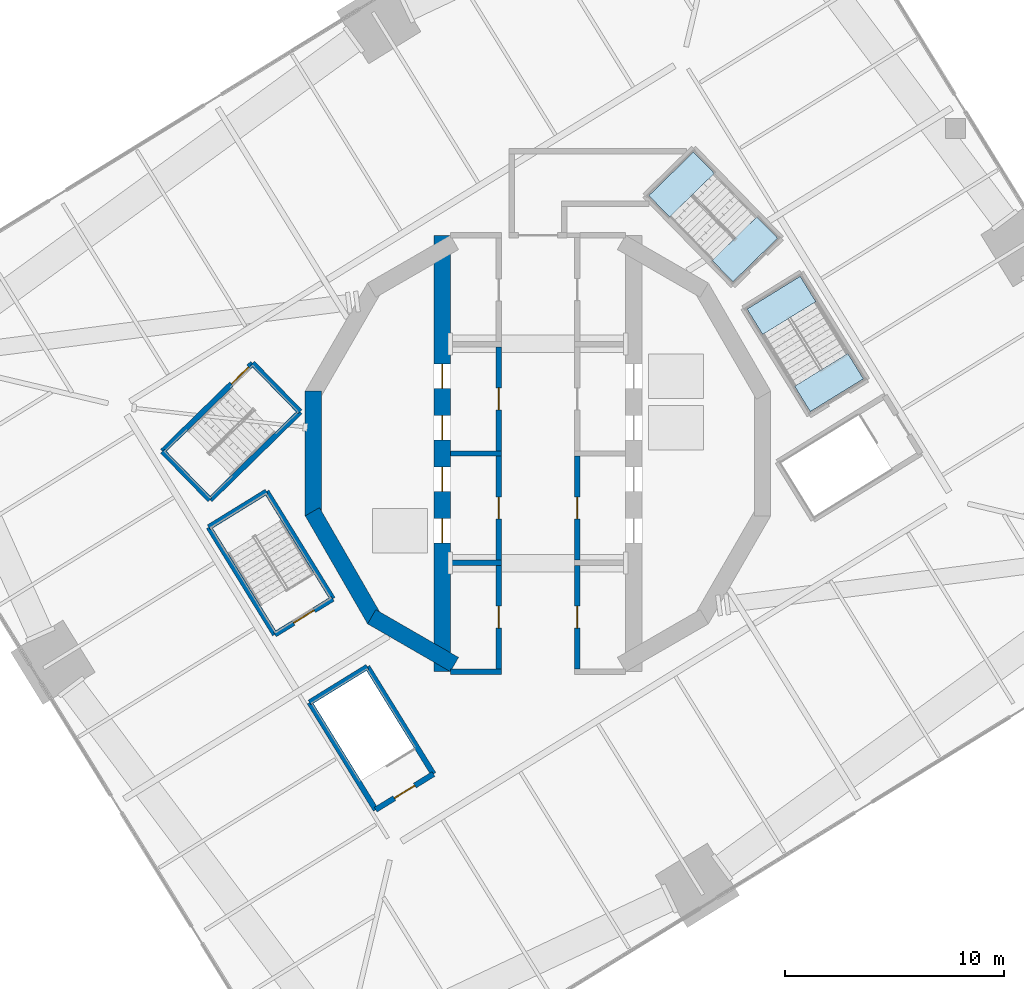
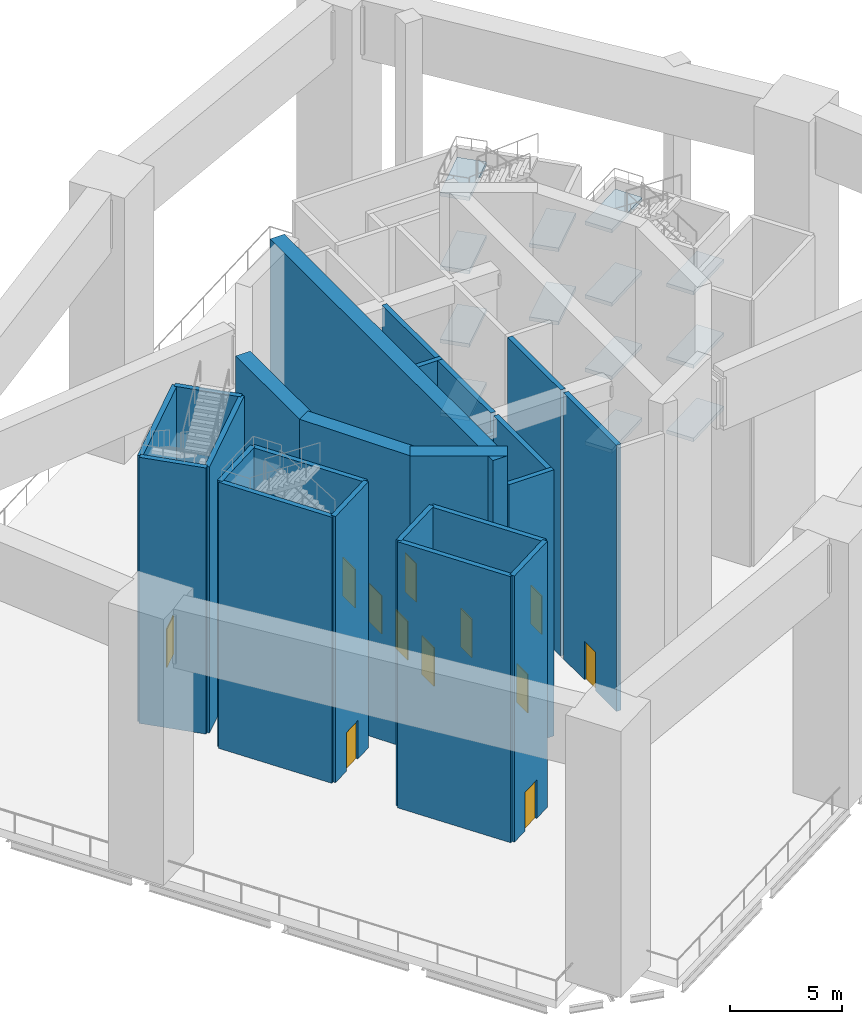
# One storey, part 3 of 15: 24 walls, 13 slabs, 12 doors, 12 openings, 2 elements without a shape of their own.
"""IFC4 building model written with IfcOpenShell, lengths in metres."""

from ifc_helpers import new_model, si_unit, direction, frame, frame_2d, origin, place, context, subcontext, project, spatial, polyline, rectangle, outline, extrude, material, layer, layer_set, type_object, element, fill, aggregate, save


model = new_model("IFC4")

# Units and contexts
model_context = context("Model", 3, precision=1e-05, world=origin(), true_north=direction((0.0, 1.0)))
body_context = subcontext(model_context, "Body", "Model", "MODEL_VIEW")
ifc_project = project(units=[si_unit("LENGTHUNIT", "METRE"), si_unit("AREAUNIT", "SQUARE_METRE"), si_unit("VOLUMEUNIT", "CUBIC_METRE"), si_unit("PLANEANGLEUNIT", "RADIAN"), si_unit("MASSUNIT", "GRAM", prefix="KILO")], contexts=[model_context])

# Site, building, storey
site_placement = place(None, origin())
site = spatial("IfcSite", under=ifc_project, at=site_placement, CompositionType="ELEMENT")
building_placement = place(site_placement, origin())
building = spatial("IfcBuilding", under=site, at=building_placement, Name="Cantera Rosa Tower", CompositionType="ELEMENT")
storey_placement = place(building_placement, frame((0.0, 0.0, 189.39990234375)))
storey = spatial("IfcBuildingStorey", under=building, at=storey_placement, Name="L42", CompositionType="ELEMENT", Elevation=189.39990234375)

# Stair, slabs
ifc_material_1 = material(Name="Concrete C35/45", Category="concrete")
stair_type = type_object("IfcStairType", Name="EXIT STAIR 1350 DOGLEG", PredefinedType="HALF_TURN_STAIR", material=ifc_material_1)
stair_1_placement = place(storey_placement, origin())
stair_1 = element("IfcStair", 1, at=stair_1_placement, inside=storey, type_object=stair_type, Name="L42 ST-41", PredefinedType="HALF_TURN_STAIR")
ifc_material_2 = material(Name="Concrete C35/45", Category="concrete")
ifc_layer_1 = layer(ifc_material_2, 0.199951171875)
ifc_layer_set_1 = layer_set([ifc_layer_1], Name="STAIR LANDING 200")
slab_type = type_object("IfcSlabType", Name="STAIR LANDING 200", PredefinedType="LANDING", material=ifc_layer_set_1)
slab_1_placement = place(storey_placement, frame((0.0, 0.0, 1.800048828125)))
slab_1 = element("IfcSlab", 2, at=slab_1_placement, type_object=slab_type, Name="ST-41 landing 1", PredefinedType="LANDING", context=body_context, shape_type="SweptSolid", body=[
    extrude(outline(polyline([(12.68408203125, 6.929443359375), (11.96923828125, 8.088623046875), (9.54345703125, 6.592529296875), (10.258544921875, 5.433349609375), (12.68408203125, 6.929443359375)])), origin(), (0.0, 0.0, 1.0), 0.199951171875),
])
slab_2_placement = place(storey_placement, frame((0.0, 0.0, 3.800048828125)))
slab_2 = element("IfcSlab", 3, at=slab_2_placement, type_object=slab_type, Name="ST-41 landing 2", PredefinedType="LANDING", context=body_context, shape_type="SweptSolid", body=[
    extrude(outline(polyline([(14.8564453125, 3.407470703125), (14.1416015625, 4.566650390625), (11.7158203125, 3.070556640625), (12.430908203125, 1.911376953125), (14.8564453125, 3.407470703125)])), origin(), (0.0, 0.0, 1.0), 0.199951171875),
])
slab_3_placement = place(storey_placement, frame((0.0, 0.0, 5.800048828125)))
slab_3 = element("IfcSlab", 4, at=slab_3_placement, type_object=slab_type, Name="ST-41 landing 3", PredefinedType="LANDING", context=body_context, shape_type="SweptSolid", body=[
    extrude(outline(polyline([(12.68408203125, 6.929443359375), (11.96923828125, 8.088623046875), (9.54345703125, 6.592529296875), (10.258544921875, 5.433349609375), (12.68408203125, 6.929443359375)])), origin(), (0.0, 0.0, 1.0), 0.199951171875),
])
slab_4_placement = place(storey_placement, frame((0.0, 0.0, 7.800048828125)))
slab_4 = element("IfcSlab", 5, at=slab_4_placement, type_object=slab_type, Name="ST-41 landing 4", PredefinedType="LANDING", context=body_context, shape_type="SweptSolid", body=[
    extrude(outline(polyline([(14.8564453125, 3.407470703125), (14.1416015625, 4.566650390625), (11.7158203125, 3.070556640625), (12.430908203125, 1.911376953125), (14.8564453125, 3.407470703125)])), origin(), (0.0, 0.0, 1.0), 0.199951171875),
])
slab_5_placement = place(storey_placement, frame((0.0, 0.0, 9.800048828125)))
slab_5 = element("IfcSlab", 6, at=slab_5_placement, type_object=slab_type, Name="ST-41 landing 5", PredefinedType="LANDING", context=body_context, shape_type="SweptSolid", body=[
    extrude(outline(polyline([(12.68408203125, 6.929443359375), (11.96923828125, 8.088623046875), (9.54345703125, 6.592529296875), (10.258544921875, 5.433349609375), (12.68408203125, 6.929443359375)])), origin(), (0.0, 0.0, 1.0), 0.199951171875),
])
slab_6_placement = place(storey_placement, frame((0.0, 0.0, 11.800048828125)))
slab_6 = element("IfcSlab", 7, at=slab_6_placement, type_object=slab_type, Name="ST-41 landing 6", PredefinedType="LANDING", context=body_context, shape_type="SweptSolid", body=[
    extrude(outline(polyline([(14.8564453125, 3.407470703125), (14.1416015625, 4.566650390625), (11.7158203125, 3.070556640625), (12.430908203125, 1.911376953125), (14.8564453125, 3.407470703125)])), origin(), (0.0, 0.0, 1.0), 0.199951171875),
])
slab_7_placement = place(storey_placement, frame((0.0, 0.0, 13.800048828125)))
slab_7 = element("IfcSlab", 8, at=slab_7_placement, type_object=slab_type, Name="ST-41 landing 7", PredefinedType="LANDING", context=body_context, shape_type="SweptSolid", body=[
    extrude(outline(polyline([(12.68408203125, 6.929443359375), (11.96923828125, 8.088623046875), (9.54345703125, 6.592529296875), (10.258544921875, 5.433349609375), (12.68408203125, 6.929443359375)])), origin(), (0.0, 0.0, 1.0), 0.199951171875),
])
aggregate(stair_1, [slab_1, slab_2, slab_3, slab_4, slab_5, slab_6, slab_7])

stair_2_placement = place(storey_placement, origin())
stair_2 = element("IfcStair", 9, at=stair_2_placement, inside=storey, type_object=stair_type, Name="L42 ST-42", PredefinedType="HALF_TURN_STAIR")
slab_8_placement = place(storey_placement, frame((0.0, 0.0, 1.800048828125)))
slab_8 = element("IfcSlab", 10, at=slab_8_placement, type_object=slab_type, Name="ST-42 landing 1", PredefinedType="LANDING", context=body_context, shape_type="SweptSolid", body=[
    extrude(outline(polyline([(8.04931640625, 12.78857421875), (7.097412109375, 13.762939453125), (5.058837890625, 11.771240234375), (6.0107421875, 10.796875), (8.04931640625, 12.78857421875)])), origin(), (0.0, 0.0, 1.0), 0.199951171875),
])
slab_9_placement = place(storey_placement, frame((0.0, 0.0, 5.800048828125)))
slab_9 = element("IfcSlab", 11, at=slab_9_placement, type_object=slab_type, Name="ST-42 landing 3", PredefinedType="LANDING", context=body_context, shape_type="SweptSolid", body=[
    extrude(outline(polyline([(8.04931640625, 12.78857421875), (7.097412109375, 13.762939453125), (5.058837890625, 11.771240234375), (6.0107421875, 10.796875), (8.04931640625, 12.78857421875)])), origin(), (0.0, 0.0, 1.0), 0.199951171875),
])
slab_10_placement = place(storey_placement, frame((0.0, 0.0, 7.800048828125)))
slab_10 = element("IfcSlab", 12, at=slab_10_placement, type_object=slab_type, Name="ST-42 landing 4", PredefinedType="LANDING", context=body_context, shape_type="SweptSolid", body=[
    extrude(outline(polyline([(10.941162109375, 9.828857421875), (9.9892578125, 10.802978515625), (7.95068359375, 8.811279296875), (8.902587890625, 7.837158203125), (10.941162109375, 9.828857421875)])), origin(), (0.0, 0.0, 1.0), 0.199951171875),
])
slab_11_placement = place(storey_placement, frame((0.0, 0.0, 9.800048828125)))
slab_11 = element("IfcSlab", 13, at=slab_11_placement, type_object=slab_type, Name="ST-42 landing 5", PredefinedType="LANDING", context=body_context, shape_type="SweptSolid", body=[
    extrude(outline(polyline([(8.04931640625, 12.78857421875), (7.097412109375, 13.762939453125), (5.058837890625, 11.771240234375), (6.0107421875, 10.796875), (8.04931640625, 12.78857421875)])), origin(), (0.0, 0.0, 1.0), 0.199951171875),
])
slab_12_placement = place(storey_placement, frame((0.0, 0.0, 11.800048828125)))
slab_12 = element("IfcSlab", 14, at=slab_12_placement, type_object=slab_type, Name="ST-42 landing 6", PredefinedType="LANDING", context=body_context, shape_type="SweptSolid", body=[
    extrude(outline(polyline([(10.941162109375, 9.828857421875), (9.9892578125, 10.802978515625), (7.95068359375, 8.811279296875), (8.902587890625, 7.837158203125), (10.941162109375, 9.828857421875)])), origin(), (0.0, 0.0, 1.0), 0.199951171875),
])
slab_13_placement = place(storey_placement, frame((0.0, 0.0, 13.800048828125)))
slab_13 = element("IfcSlab", 15, at=slab_13_placement, type_object=slab_type, Name="ST-42 landing 7", PredefinedType="LANDING", context=body_context, shape_type="SweptSolid", body=[
    extrude(outline(polyline([(8.04931640625, 12.78857421875), (7.097412109375, 13.762939453125), (5.058837890625, 11.771240234375), (6.0107421875, 10.796875), (8.04931640625, 12.78857421875)])), origin(), (0.0, 0.0, 1.0), 0.199951171875),
])
aggregate(stair_2, [slab_8, slab_9, slab_10, slab_11, slab_12, slab_13])

# Wall, opening, door
ifc_material_3 = material(Name="Masonry blockwork", Category="masonry")
ifc_layer_2 = layer(ifc_material_3, 0.25)
ifc_layer_set_2 = layer_set([ifc_layer_2], Name="Fire-rated wall 250")
wall_type_1 = type_object("IfcWallType", Name="Fire-rated wall 250", PredefinedType="PARTITIONING", material=ifc_layer_set_2)
wall_1_placement = place(storey_placement, frame((-1.800048828125, -9.8349609375, 0.0), z_axis=(0.0, 0.0, 1.0), x_axis=(0.0, 1.0, 0.0)))
wall_1 = element("IfcWall", 16, at=wall_1_placement, inside=storey, type_object=wall_type_1, Name="Fire wall L42-1", PredefinedType="PARTITIONING", context=body_context, shape_type="SweptSolid", body=[
    extrude(rectangle(XDim=4.72998046875, YDim=0.25, at=frame_2d((2.364990234375, 0.0))), origin(), (0.0, 0.0, 1.0), 14.5),
])
opening_1_placement = place(wall_1_placement, frame((1.864990234375, 0.0, 0.0)))
opening_1 = element("IfcOpeningElement", 17, at=opening_1_placement, cuts=wall_1, Name="Opening L42-005", PredefinedType="OPENING", context=body_context, shape_type="SweptSolid", body=[
    extrude(rectangle(XDim=1.0, YDim=2.10009765625, at=frame_2d((0.5, 1.050048828125))), frame((0.0, 0.135009765625, 0.0), z_axis=(0.0, -1.0, 0.0), x_axis=(1.0, 0.0, 0.0)), (0.0, 0.0, 1.0), 0.27001953125),
])
ifc_material_4 = material(Name="Steel S355J2 (EN 10025-2)", Category="steel")
door_type_1 = type_object("IfcDoorType", Name="Fire door 1000x2100", OperationType="NOTDEFINED", PredefinedType="DOOR", material=ifc_material_4)
door_1_placement = place(opening_1_placement, origin())
door_1 = element("IfcDoor", 18, at=door_1_placement, inside=storey, type_object=door_type_1, Name="Door L42-005", OverallHeight=2.10009765625, OverallWidth=1.0, PredefinedType="DOOR", context=body_context, shape_type="SweptSolid", body=[
    extrude(rectangle(XDim=1.0, YDim=2.10009765625, at=frame_2d((0.5, 1.050048828125))), frame((0.0, 0.02490234375, 0.0), z_axis=(0.0, -1.0, 0.0), x_axis=(1.0, 0.0, 0.0)), (0.0, 0.0, 1.0), 0.050048828125),
])
fill(opening_1, door_1)

wall_2_placement = place(storey_placement, frame((-1.800048828125, -4.85498046875, 0.0), z_axis=(0.0, 0.0, 1.0), x_axis=(0.0, 1.0, 0.0)))
wall_2 = element("IfcWall", 19, at=wall_2_placement, inside=storey, type_object=wall_type_1, Name="Fire wall L42-2", PredefinedType="PARTITIONING", context=body_context, shape_type="SweptSolid", body=[
    extrude(rectangle(XDim=4.72998046875, YDim=0.25, at=frame_2d((2.364990234375, 0.0))), origin(), (0.0, 0.0, 1.0), 14.5),
])
opening_2_placement = place(wall_2_placement, frame((1.864990234375, 0.0, 0.0)))
opening_2 = element("IfcOpeningElement", 20, at=opening_2_placement, cuts=wall_2, Name="Opening L42-001", PredefinedType="OPENING", context=body_context, shape_type="SweptSolid", body=[
    extrude(rectangle(XDim=1.0, YDim=2.10009765625, at=frame_2d((0.5, 1.050048828125))), frame((0.0, 0.135009765625, 0.0), z_axis=(0.0, -1.0, 0.0), x_axis=(1.0, 0.0, 0.0)), (0.0, 0.0, 1.0), 0.27001953125),
])
door_2_placement = place(opening_2_placement, origin())
door_2 = element("IfcDoor", 21, at=door_2_placement, inside=storey, type_object=door_type_1, Name="Door L42-001", OverallHeight=2.10009765625, OverallWidth=1.0, PredefinedType="DOOR", context=body_context, shape_type="SweptSolid", body=[
    extrude(rectangle(XDim=1.0, YDim=2.10009765625, at=frame_2d((0.5, 1.050048828125))), frame((0.0, 0.02490234375, 0.0), z_axis=(0.0, -1.0, 0.0), x_axis=(1.0, 0.0, 0.0)), (0.0, 0.0, 1.0), 0.050048828125),
])
fill(opening_2, door_2)

wall_3_placement = place(storey_placement, frame((-1.800048828125, 0.125, 0.0), z_axis=(0.0, 0.0, 1.0), x_axis=(0.0, 1.0, 0.0)))
wall_3 = element("IfcWall", 22, at=wall_3_placement, inside=storey, type_object=wall_type_1, Name="Fire wall L42-3", PredefinedType="PARTITIONING", context=body_context, shape_type="SweptSolid", body=[
    extrude(rectangle(XDim=4.72998046875, YDim=0.25, at=frame_2d((2.364990234375, 0.0))), origin(), (0.0, 0.0, 1.0), 14.5),
])
opening_3_placement = place(wall_3_placement, frame((1.864990234375, 0.0, 0.0)))
opening_3 = element("IfcOpeningElement", 23, at=opening_3_placement, cuts=wall_3, Name="Opening L42-002", PredefinedType="OPENING", context=body_context, shape_type="SweptSolid", body=[
    extrude(rectangle(XDim=1.0, YDim=2.10009765625, at=frame_2d((0.5, 1.050048828125))), frame((0.0, 0.135009765625, 0.0), z_axis=(0.0, -1.0, 0.0), x_axis=(1.0, 0.0, 0.0)), (0.0, 0.0, 1.0), 0.27001953125),
])
door_3_placement = place(opening_3_placement, origin())
door_3 = element("IfcDoor", 24, at=door_3_placement, inside=storey, type_object=door_type_1, Name="Door L42-002", OverallHeight=2.10009765625, OverallWidth=1.0, PredefinedType="DOOR", context=body_context, shape_type="SweptSolid", body=[
    extrude(rectangle(XDim=1.0, YDim=2.10009765625, at=frame_2d((0.5, 1.050048828125))), frame((0.0, 0.02490234375, 0.0), z_axis=(0.0, -1.0, 0.0), x_axis=(1.0, 0.0, 0.0)), (0.0, 0.0, 1.0), 0.050048828125),
])
fill(opening_3, door_3)

# Wall
wall_4_placement = place(storey_placement, frame((-4.0, -9.9599609375, 0.0), z_axis=(0.0, 0.0, 1.0), x_axis=(1.0, 0.0, 0.0)))
element("IfcWall", 25, at=wall_4_placement, inside=storey, type_object=wall_type_1, Name="Fire wall L42-7", PredefinedType="PARTITIONING", context=body_context, shape_type="SweptSolid", body=[
    extrude(rectangle(XDim=2.324951171875, YDim=0.25, at=frame_2d((1.16259765625, 0.0))), origin(), (0.0, 0.0, 1.0), 14.5),
])

# Wall, opening, door
wall_5_placement = place(storey_placement, frame((1.800048828125, -9.8349609375, 0.0), z_axis=(0.0, 0.0, 1.0), x_axis=(0.0, 1.0, 0.0)))
wall_5 = element("IfcWall", 26, at=wall_5_placement, inside=storey, type_object=wall_type_1, Name="Fire wall L42-15", PredefinedType="PARTITIONING", context=body_context, shape_type="SweptSolid", body=[
    extrude(rectangle(XDim=4.72998046875, YDim=0.25, at=frame_2d((2.364990234375, 0.0))), origin(), (0.0, 0.0, 1.0), 14.5),
])
opening_4_placement = place(wall_5_placement, frame((1.864990234375, 0.0, 0.0)))
opening_4 = element("IfcOpeningElement", 27, at=opening_4_placement, cuts=wall_5, Name="Opening L42-007", PredefinedType="OPENING", context=body_context, shape_type="SweptSolid", body=[
    extrude(rectangle(XDim=1.0, YDim=2.10009765625, at=frame_2d((0.5, 1.050048828125))), frame((0.0, 0.135009765625, 0.0), z_axis=(0.0, -1.0, 0.0), x_axis=(1.0, 0.0, 0.0)), (0.0, 0.0, 1.0), 0.27001953125),
])
door_4_placement = place(opening_4_placement, origin())
door_4 = element("IfcDoor", 28, at=door_4_placement, inside=storey, type_object=door_type_1, Name="Door L42-007", OverallHeight=2.10009765625, OverallWidth=1.0, PredefinedType="DOOR", context=body_context, shape_type="SweptSolid", body=[
    extrude(rectangle(XDim=1.0, YDim=2.10009765625, at=frame_2d((0.5, 1.050048828125))), frame((0.0, 0.02490234375, 0.0), z_axis=(0.0, -1.0, 0.0), x_axis=(1.0, 0.0, 0.0)), (0.0, 0.0, 1.0), 0.050048828125),
])
fill(opening_4, door_4)

wall_6_placement = place(storey_placement, frame((1.800048828125, -4.85498046875, 0.0), z_axis=(0.0, 0.0, 1.0), x_axis=(0.0, 1.0, 0.0)))
wall_6 = element("IfcWall", 29, at=wall_6_placement, inside=storey, type_object=wall_type_1, Name="Fire wall L42-16", PredefinedType="PARTITIONING", context=body_context, shape_type="SweptSolid", body=[
    extrude(rectangle(XDim=4.72998046875, YDim=0.25, at=frame_2d((2.364990234375, 0.0))), origin(), (0.0, 0.0, 1.0), 14.5),
])
opening_5_placement = place(wall_6_placement, frame((1.864990234375, 0.0, 0.0)))
opening_5 = element("IfcOpeningElement", 30, at=opening_5_placement, cuts=wall_6, Name="Opening L42-003", PredefinedType="OPENING", context=body_context, shape_type="SweptSolid", body=[
    extrude(rectangle(XDim=1.0, YDim=2.10009765625, at=frame_2d((0.5, 1.050048828125))), frame((0.0, 0.135009765625, 0.0), z_axis=(0.0, -1.0, 0.0), x_axis=(1.0, 0.0, 0.0)), (0.0, 0.0, 1.0), 0.27001953125),
])
door_5_placement = place(opening_5_placement, origin())
door_5 = element("IfcDoor", 31, at=door_5_placement, inside=storey, type_object=door_type_1, Name="Door L42-003", OverallHeight=2.10009765625, OverallWidth=1.0, PredefinedType="DOOR", context=body_context, shape_type="SweptSolid", body=[
    extrude(rectangle(XDim=1.0, YDim=2.10009765625, at=frame_2d((0.5, 1.050048828125))), frame((0.0, 0.02490234375, 0.0), z_axis=(0.0, -1.0, 0.0), x_axis=(1.0, 0.0, 0.0)), (0.0, 0.0, 1.0), 0.050048828125),
])
fill(opening_5, door_5)

# Walls
wall_7_placement = place(storey_placement, frame((-4.0, 0.0, 0.0), z_axis=(0.0, 0.0, 1.0), x_axis=(1.0, 0.0, 0.0)))
element("IfcWall", 32, at=wall_7_placement, inside=storey, type_object=wall_type_1, Name="Fire wall L42-19", PredefinedType="PARTITIONING", context=body_context, shape_type="SweptSolid", body=[
    extrude(rectangle(XDim=2.324951171875, YDim=0.25, at=frame_2d((1.16259765625, 0.0))), origin(), (0.0, 0.0, 1.0), 14.5),
])
ifc_material_5 = material(Name="Masonry blockwork", Category="masonry")
ifc_layer_3 = layer(ifc_material_5, 0.25)
ifc_layer_set_3 = layer_set([ifc_layer_3], Name="Fire-rated wall 250 H13450")
wall_type_2 = type_object("IfcWallType", Name="Fire-rated wall 250 H13450", PredefinedType="PARTITIONING", material=ifc_layer_set_3)
wall_8_placement = place(storey_placement, frame((-4.0, -4.97998046875, 0.0), z_axis=(0.0, 0.0, 1.0), x_axis=(1.0, 0.0, 0.0)))
element("IfcWall", 33, at=wall_8_placement, inside=storey, type_object=wall_type_2, Name="Fire wall L42-5", PredefinedType="PARTITIONING", context=body_context, shape_type="SweptSolid", body=[
    extrude(rectangle(XDim=2.324951171875, YDim=0.25, at=frame_2d((1.16259765625, 0.0))), origin(), (0.0, 0.0, 1.0), 13.4501953125),
])
ifc_material_6 = material(Name="Concrete C60/75", Category="concrete")
ifc_layer_4 = layer(ifc_material_6, 0.75)
ifc_layer_set_4 = layer_set([ifc_layer_4], Name="RC CORE WALL 750 C60/75")
wall_type_3 = type_object("IfcWallType", Name="RC CORE WALL 750 C60/75", PredefinedType="SHEAR", material=ifc_layer_set_4)
wall_9_placement = place(storey_placement, frame((-3.8125, -9.634765625, 0.0), z_axis=(0.0, 0.0, 1.0), x_axis=(-0.866013176292, 0.50002117804, 0.0)))
element("IfcWall", 34, at=wall_9_placement, inside=storey, type_object=wall_type_3, Name="CW-W1 L42", PredefinedType="SHEAR", context=body_context, shape_type="SweptSolid", body=[
    extrude(rectangle(XDim=4.362548828125, YDim=0.75, at=frame_2d((2.18115234375, 0.0))), origin(), (0.0, 0.0, 1.0), 16.0),
])
wall_10_placement = place(storey_placement, frame((-7.453369140625, -7.590576171875, 0.0), z_axis=(0.0, 0.0, 1.0), x_axis=(-0.500021842983, 0.866012792365, 0.0)))
element("IfcWall", 35, at=wall_10_placement, inside=storey, type_object=wall_type_3, Name="CW-W2 L42", PredefinedType="SHEAR", context=body_context, shape_type="SweptSolid", body=[
    extrude(rectangle(XDim=5.694091796875, YDim=0.75, at=frame_2d((2.84716796875, 0.0))), origin(), (0.0, 0.0, 1.0), 16.0),
])
wall_11_placement = place(storey_placement, frame((-10.250244140625, -2.846923828125, 0.0), z_axis=(0.0, 0.0, 1.0), x_axis=(0.0, 1.0, 0.0)))
element("IfcWall", 36, at=wall_11_placement, inside=storey, type_object=wall_type_3, Name="CW-W3 L42", PredefinedType="SHEAR", context=body_context, shape_type="SweptSolid", body=[
    extrude(rectangle(XDim=5.69384765625, YDim=0.75, at=frame_2d((2.846923828125, 0.0))), origin(), (0.0, 0.0, 1.0), 16.0),
])

# Wall, openings, doors
wall_12_placement = place(storey_placement, frame((-4.375, 9.95947265625, 0.0), z_axis=(0.0, 0.0, 1.0), x_axis=(0.0, -1.0, 0.0)))
wall_12 = element("IfcWall", 37, at=wall_12_placement, inside=storey, type_object=wall_type_3, Name="CW-W6 L42", PredefinedType="SHEAR", context=body_context, shape_type="SweptSolid", body=[
    extrude(rectangle(XDim=19.9189453125, YDim=0.75, at=frame_2d((9.95947265625, 0.0))), origin(), (0.0, 0.0, 1.0), 16.0),
])
opening_6_placement = place(wall_12_placement, frame((12.9345703125, 0.0, 0.0)))
opening_6 = element("IfcOpeningElement", 38, at=opening_6_placement, cuts=wall_12, Name="Opening LD-P3-L42", PredefinedType="OPENING", context=body_context, shape_type="SweptSolid", body=[
    extrude(rectangle(XDim=1.10009765625, YDim=2.10009765625, at=frame_2d((0.550048828125, 1.050048828125))), frame((0.0, 0.385009765625, 0.0), z_axis=(0.0, -1.0, 0.0), x_axis=(1.0, 0.0, 0.0)), (0.0, 0.0, 1.0), 0.77001953125),
])
opening_7_placement = place(wall_12_placement, frame((10.58447265625, 0.0, 0.0)))
opening_7 = element("IfcOpeningElement", 39, at=opening_7_placement, cuts=wall_12, Name="Opening LD-H1-L42", PredefinedType="OPENING", context=body_context, shape_type="SweptSolid", body=[
    extrude(rectangle(XDim=1.10009765625, YDim=2.10009765625, at=frame_2d((0.550048828125, 1.050048828125))), frame((0.0, 0.385009765625, 0.0), z_axis=(0.0, -1.0, 0.0), x_axis=(1.0, 0.0, 0.0)), (0.0, 0.0, 1.0), 0.77001953125),
])
opening_8_placement = place(wall_12_placement, frame((8.234619140625, 0.0, 0.0)))
opening_8 = element("IfcOpeningElement", 40, at=opening_8_placement, cuts=wall_12, Name="Opening LD-H2-L42", PredefinedType="OPENING", context=body_context, shape_type="SweptSolid", body=[
    extrude(rectangle(XDim=1.10009765625, YDim=2.10009765625, at=frame_2d((0.550048828125, 1.050048828125))), frame((0.0, 0.385009765625, 0.0), z_axis=(0.0, -1.0, 0.0), x_axis=(1.0, 0.0, 0.0)), (0.0, 0.0, 1.0), 0.77001953125),
])
opening_9_placement = place(wall_12_placement, frame((5.884521484375, 0.0, 0.0)))
opening_9 = element("IfcOpeningElement", 41, at=opening_9_placement, cuts=wall_12, Name="Opening LD-H3-L42", PredefinedType="OPENING", context=body_context, shape_type="SweptSolid", body=[
    extrude(rectangle(XDim=1.10009765625, YDim=2.10009765625, at=frame_2d((0.550048828125, 1.050048828125))), frame((0.0, 0.385009765625, 0.0), z_axis=(0.0, -1.0, 0.0), x_axis=(1.0, 0.0, 0.0)), (0.0, 0.0, 1.0), 0.77001953125),
])
ifc_material_7 = material(Name="Steel S355J2 (EN 10025-2)", Category="steel")
door_type_2 = type_object("IfcDoorType", Name="LANDING DOOR 1100x2100", OperationType="NOTDEFINED", PredefinedType="DOOR", material=ifc_material_7)
door_6_placement = place(opening_6_placement, origin())
door_6 = element("IfcDoor", 42, at=door_6_placement, inside=storey, type_object=door_type_2, Name="LANDING DOOR P3 L42", OperationType="SLIDING_TO_LEFT", OverallHeight=2.10009765625, OverallWidth=1.10009765625, PredefinedType="DOOR", context=body_context, shape_type="SweptSolid", body=[
    extrude(rectangle(XDim=1.10009765625, YDim=2.10009765625, at=frame_2d((0.550048828125, 1.050048828125))), frame((0.0, 0.02490234375, 0.0), z_axis=(0.0, -1.0, 0.0), x_axis=(1.0, 0.0, 0.0)), (0.0, 0.0, 1.0), 0.050048828125),
])
fill(opening_6, door_6)
door_7_placement = place(opening_7_placement, origin())
door_7 = element("IfcDoor", 43, at=door_7_placement, inside=storey, type_object=door_type_2, Name="LANDING DOOR H1 L42", OperationType="SLIDING_TO_LEFT", OverallHeight=2.10009765625, OverallWidth=1.10009765625, PredefinedType="DOOR", context=body_context, shape_type="SweptSolid", body=[
    extrude(rectangle(XDim=1.10009765625, YDim=2.10009765625, at=frame_2d((0.550048828125, 1.050048828125))), frame((0.0, 0.02490234375, 0.0), z_axis=(0.0, -1.0, 0.0), x_axis=(1.0, 0.0, 0.0)), (0.0, 0.0, 1.0), 0.050048828125),
])
fill(opening_7, door_7)
door_8_placement = place(opening_8_placement, origin())
door_8 = element("IfcDoor", 44, at=door_8_placement, inside=storey, type_object=door_type_2, Name="LANDING DOOR H2 L42", OperationType="SLIDING_TO_LEFT", OverallHeight=2.10009765625, OverallWidth=1.10009765625, PredefinedType="DOOR", context=body_context, shape_type="SweptSolid", body=[
    extrude(rectangle(XDim=1.10009765625, YDim=2.10009765625, at=frame_2d((0.550048828125, 1.050048828125))), frame((0.0, 0.02490234375, 0.0), z_axis=(0.0, -1.0, 0.0), x_axis=(1.0, 0.0, 0.0)), (0.0, 0.0, 1.0), 0.050048828125),
])
fill(opening_8, door_8)
door_9_placement = place(opening_9_placement, origin())
door_9 = element("IfcDoor", 45, at=door_9_placement, inside=storey, type_object=door_type_2, Name="LANDING DOOR H3 L42", OperationType="SLIDING_TO_LEFT", OverallHeight=2.10009765625, OverallWidth=1.10009765625, PredefinedType="DOOR", context=body_context, shape_type="SweptSolid", body=[
    extrude(rectangle(XDim=1.10009765625, YDim=2.10009765625, at=frame_2d((0.550048828125, 1.050048828125))), frame((0.0, 0.02490234375, 0.0), z_axis=(0.0, -1.0, 0.0), x_axis=(1.0, 0.0, 0.0)), (0.0, 0.0, 1.0), 0.050048828125),
])
fill(opening_9, door_9)

# Walls
ifc_material_8 = material(Name="Concrete C50/60", Category="concrete")
ifc_layer_5 = layer(ifc_material_8, 0.25)
ifc_layer_set_5 = layer_set([ifc_layer_5], Name="RC stair wall 250 C50/60")
wall_type_4 = type_object("IfcWallType", Name="RC stair wall 250", PredefinedType="SOLIDWALL", material=ifc_layer_set_5)
wall_13_placement = place(storey_placement, frame((-13.026611328125, 4.117919921875, 0.0), z_axis=(0.0, 0.0, 1.0), x_axis=(0.698789198814, -0.715327656128, 0.0)))
element("IfcWall", 46, at=wall_13_placement, inside=storey, type_object=wall_type_4, Name="STAIR WALL ST-43 L42-11", PredefinedType="SOLIDWALL", context=body_context, shape_type="SweptSolid", body=[
    extrude(rectangle(XDim=3.10009765625, YDim=0.25, at=frame_2d((1.550048828125, 0.0))), origin(), (0.0, 0.0, 1.0), 14.5),
])
wall_14_placement = place(storey_placement, frame((-10.8603515625, 1.900390625, 0.0), z_axis=(0.0, 0.0, 1.0), x_axis=(-0.715295723364, -0.698821885846, 0.0)))
element("IfcWall", 47, at=wall_14_placement, inside=storey, type_object=wall_type_4, Name="STAIR WALL ST-43 L42-21", PredefinedType="SOLIDWALL", context=body_context, shape_type="SweptSolid", body=[
    extrude(rectangle(XDim=5.75, YDim=0.25, at=frame_2d((2.875, 0.0))), origin(), (0.0, 0.0, 1.0), 14.5),
])
wall_15_placement = place(storey_placement, frame((-14.973388671875, -2.117919921875, 0.0), z_axis=(0.0, 0.0, 1.0), x_axis=(-0.698789198814, 0.715327656128, 0.0)))
element("IfcWall", 48, at=wall_15_placement, inside=storey, type_object=wall_type_4, Name="STAIR WALL ST-43 L42-31", PredefinedType="SOLIDWALL", context=body_context, shape_type="SweptSolid", body=[
    extrude(rectangle(XDim=3.10009765625, YDim=0.25, at=frame_2d((1.550048828125, 0.0))), origin(), (0.0, 0.0, 1.0), 14.5),
])

# Wall, opening, door
wall_16_placement = place(storey_placement, frame((-17.1396484375, 0.099609375, 0.0), z_axis=(0.0, 0.0, 1.0), x_axis=(0.715295723364, 0.698821885846, 0.0)))
wall_16 = element("IfcWall", 49, at=wall_16_placement, inside=storey, type_object=wall_type_4, Name="STAIR WALL ST-43 L42-41", PredefinedType="SOLIDWALL", context=body_context, shape_type="SweptSolid", body=[
    extrude(rectangle(XDim=5.75, YDim=0.25, at=frame_2d((2.875, 0.0))), origin(), (0.0, 0.0, 1.0), 14.5),
])
opening_10_placement = place(wall_16_placement, frame((4.39990234375, 0.0, 0.0)))
opening_10 = element("IfcOpeningElement", 50, at=opening_10_placement, cuts=wall_16, Name="Opening L42-ST-43", PredefinedType="OPENING", context=body_context, shape_type="SweptSolid", body=[
    extrude(rectangle(XDim=1.10009765625, YDim=2.10009765625, at=frame_2d((0.550048828125, 1.050048828125))), frame((0.0, 0.135009765625, 0.0), z_axis=(0.0, -1.0, 0.0), x_axis=(1.0, 0.0, 0.0)), (0.0, 0.0, 1.0), 0.27001953125),
])
ifc_material_9 = material(Name="Steel S355J2 (EN 10025-2)", Category="steel")
door_type_3 = type_object("IfcDoorType", Name="STAIR DOOR 1100x2100", OperationType="NOTDEFINED", PredefinedType="DOOR", material=ifc_material_9)
door_10_placement = place(opening_10_placement, origin())
door_10 = element("IfcDoor", 51, at=door_10_placement, inside=storey, type_object=door_type_3, Name="DOOR L42-ST-43", OperationType="NOTDEFINED", OverallHeight=2.10009765625, OverallWidth=1.10009765625, PredefinedType="DOOR", context=body_context, shape_type="SweptSolid", body=[
    extrude(rectangle(XDim=1.10009765625, YDim=2.10009765625, at=frame_2d((0.550048828125, 1.050048828125))), frame((0.0, 0.02490234375, 0.0), z_axis=(0.0, -1.0, 0.0), x_axis=(1.0, 0.0, 0.0)), (0.0, 0.0, 1.0), 0.050048828125),
])
fill(opening_10, door_10)

wall_17_placement = place(storey_placement, frame((-9.37158203125, -6.63330078125, 0.0), z_axis=(0.0, 0.0, 1.0), x_axis=(-0.851111635158, -0.52498474692, 0.0)))
wall_17 = element("IfcWall", 52, at=wall_17_placement, inside=storey, type_object=wall_type_4, Name="STAIR WALL ST-44 L42-11", PredefinedType="SOLIDWALL", context=body_context, shape_type="SweptSolid", body=[
    extrude(rectangle(XDim=3.10009765625, YDim=0.25, at=frame_2d((1.550048828125, 0.0))), origin(), (0.0, 0.0, 1.0), 14.5),
])
opening_11_placement = place(wall_17_placement, frame((1.0, 0.0, 0.0)))
opening_11 = element("IfcOpeningElement", 53, at=opening_11_placement, cuts=wall_17, Name="Opening L42-ST-44", PredefinedType="OPENING", context=body_context, shape_type="SweptSolid", body=[
    extrude(rectangle(XDim=1.10009765625, YDim=2.10009765625, at=frame_2d((0.550048828125, 1.050048828125))), frame((0.0, 0.135009765625, 0.0), z_axis=(0.0, -1.0, 0.0), x_axis=(1.0, 0.0, 0.0)), (0.0, 0.0, 1.0), 0.27001953125),
])
door_11_placement = place(opening_11_placement, origin())
door_11 = element("IfcDoor", 54, at=door_11_placement, inside=storey, type_object=door_type_3, Name="DOOR L42-ST-44", OperationType="NOTDEFINED", OverallHeight=2.10009765625, OverallWidth=1.10009765625, PredefinedType="DOOR", context=body_context, shape_type="SweptSolid", body=[
    extrude(rectangle(XDim=1.10009765625, YDim=2.10009765625, at=frame_2d((0.550048828125, 1.050048828125))), frame((0.0, 0.02490234375, 0.0), z_axis=(0.0, -1.0, 0.0), x_axis=(1.0, 0.0, 0.0)), (0.0, 0.0, 1.0), 0.050048828125),
])
fill(opening_11, door_11)

# Walls
wall_18_placement = place(storey_placement, frame((-12.010009765625, -8.2607421875, 0.0), z_axis=(0.0, 0.0, 1.0), x_axis=(-0.524959451453, 0.85112723745, 0.0)))
element("IfcWall", 55, at=wall_18_placement, inside=storey, type_object=wall_type_4, Name="STAIR WALL ST-44 L42-21", PredefinedType="SOLIDWALL", context=body_context, shape_type="SweptSolid", body=[
    extrude(rectangle(XDim=5.75, YDim=0.25, at=frame_2d((2.875, 0.0))), origin(), (0.0, 0.0, 1.0), 14.5),
])
wall_19_placement = place(storey_placement, frame((-15.028564453125, -3.36669921875, 0.0), z_axis=(0.0, 0.0, 1.0), x_axis=(0.851111635158, 0.52498474692, 0.0)))
element("IfcWall", 56, at=wall_19_placement, inside=storey, type_object=wall_type_4, Name="STAIR WALL ST-44 L42-31", PredefinedType="SOLIDWALL", context=body_context, shape_type="SweptSolid", body=[
    extrude(rectangle(XDim=3.10009765625, YDim=0.25, at=frame_2d((1.550048828125, 0.0))), origin(), (0.0, 0.0, 1.0), 14.5),
])
wall_20_placement = place(storey_placement, frame((-12.39013671875, -1.7392578125, 0.0), z_axis=(0.0, 0.0, 1.0), x_axis=(0.524959451453, -0.85112723745, 0.0)))
element("IfcWall", 57, at=wall_20_placement, inside=storey, type_object=wall_type_4, Name="STAIR WALL ST-44 L42-41", PredefinedType="SOLIDWALL", context=body_context, shape_type="SweptSolid", body=[
    extrude(rectangle(XDim=5.75, YDim=0.25, at=frame_2d((2.875, 0.0))), origin(), (0.0, 0.0, 1.0), 14.5),
])

# Wall, opening, door
wall_21_placement = place(storey_placement, frame((-4.771484375, -14.63330078125, 0.0), z_axis=(0.0, 0.0, 1.0), x_axis=(-0.851111635158, -0.52498474692, 0.0)))
wall_21 = element("IfcWall", 58, at=wall_21_placement, inside=storey, type_object=wall_type_4, Name="STAIR WALL ST-33 L42-11", PredefinedType="SOLIDWALL", context=body_context, shape_type="SweptSolid", body=[
    extrude(rectangle(XDim=3.10009765625, YDim=0.25, at=frame_2d((1.550048828125, 0.0))), origin(), (0.0, 0.0, 1.0), 14.5),
])
opening_12_placement = place(wall_21_placement, frame((1.0, 0.0, 0.0)))
opening_12 = element("IfcOpeningElement", 59, at=opening_12_placement, cuts=wall_21, Name="Opening L42-ST-33", PredefinedType="OPENING", context=body_context, shape_type="SweptSolid", body=[
    extrude(rectangle(XDim=1.10009765625, YDim=2.10009765625, at=frame_2d((0.550048828125, 1.050048828125))), frame((0.0, 0.135009765625, 0.0), z_axis=(0.0, -1.0, 0.0), x_axis=(1.0, 0.0, 0.0)), (0.0, 0.0, 1.0), 0.27001953125),
])
door_12_placement = place(opening_12_placement, origin())
door_12 = element("IfcDoor", 60, at=door_12_placement, inside=storey, type_object=door_type_3, Name="DOOR L42-ST-33", OperationType="NOTDEFINED", OverallHeight=2.10009765625, OverallWidth=1.10009765625, PredefinedType="DOOR", context=body_context, shape_type="SweptSolid", body=[
    extrude(rectangle(XDim=1.10009765625, YDim=2.10009765625, at=frame_2d((0.550048828125, 1.050048828125))), frame((0.0, 0.02490234375, 0.0), z_axis=(0.0, -1.0, 0.0), x_axis=(1.0, 0.0, 0.0)), (0.0, 0.0, 1.0), 0.050048828125),
])
fill(opening_12, door_12)

# Walls
wall_22_placement = place(storey_placement, frame((-7.409912109375, -16.2607421875, 0.0), z_axis=(0.0, 0.0, 1.0), x_axis=(-0.524959451453, 0.85112723745, 0.0)))
element("IfcWall", 61, at=wall_22_placement, inside=storey, type_object=wall_type_4, Name="STAIR WALL ST-33 L42-21", PredefinedType="SOLIDWALL", context=body_context, shape_type="SweptSolid", body=[
    extrude(rectangle(XDim=5.75, YDim=0.25, at=frame_2d((2.875, 0.0))), origin(), (0.0, 0.0, 1.0), 14.5),
])
wall_23_placement = place(storey_placement, frame((-10.428466796875, -11.36669921875, 0.0), z_axis=(0.0, 0.0, 1.0), x_axis=(0.851111635158, 0.52498474692, 0.0)))
element("IfcWall", 62, at=wall_23_placement, inside=storey, type_object=wall_type_4, Name="STAIR WALL ST-33 L42-31", PredefinedType="SOLIDWALL", context=body_context, shape_type="SweptSolid", body=[
    extrude(rectangle(XDim=3.10009765625, YDim=0.25, at=frame_2d((1.550048828125, 0.0))), origin(), (0.0, 0.0, 1.0), 14.5),
])
wall_24_placement = place(storey_placement, frame((-7.7900390625, -9.7392578125, 0.0), z_axis=(0.0, 0.0, 1.0), x_axis=(0.524959451453, -0.85112723745, 0.0)))
element("IfcWall", 63, at=wall_24_placement, inside=storey, type_object=wall_type_4, Name="STAIR WALL ST-33 L42-41", PredefinedType="SOLIDWALL", context=body_context, shape_type="SweptSolid", body=[
    extrude(rectangle(XDim=5.75, YDim=0.25, at=frame_2d((2.875, 0.0))), origin(), (0.0, 0.0, 1.0), 14.5),
])

save(model, "model.ifc")
